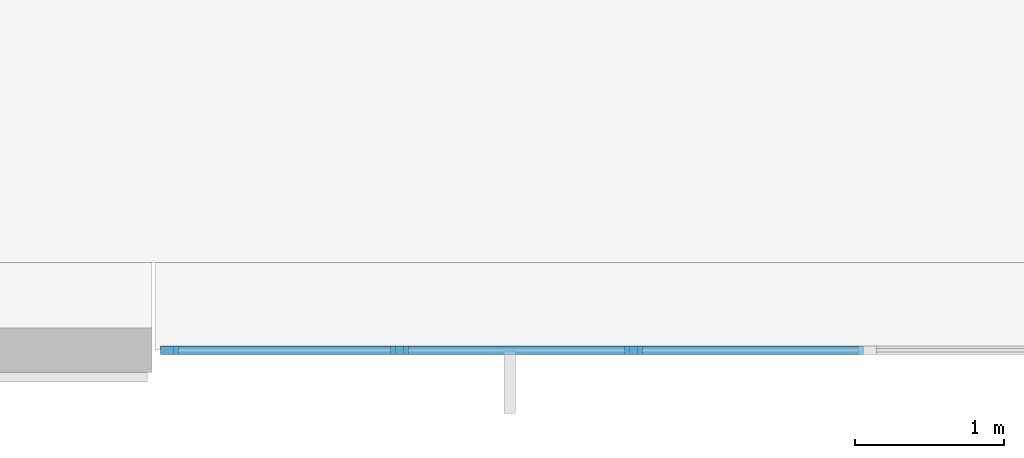
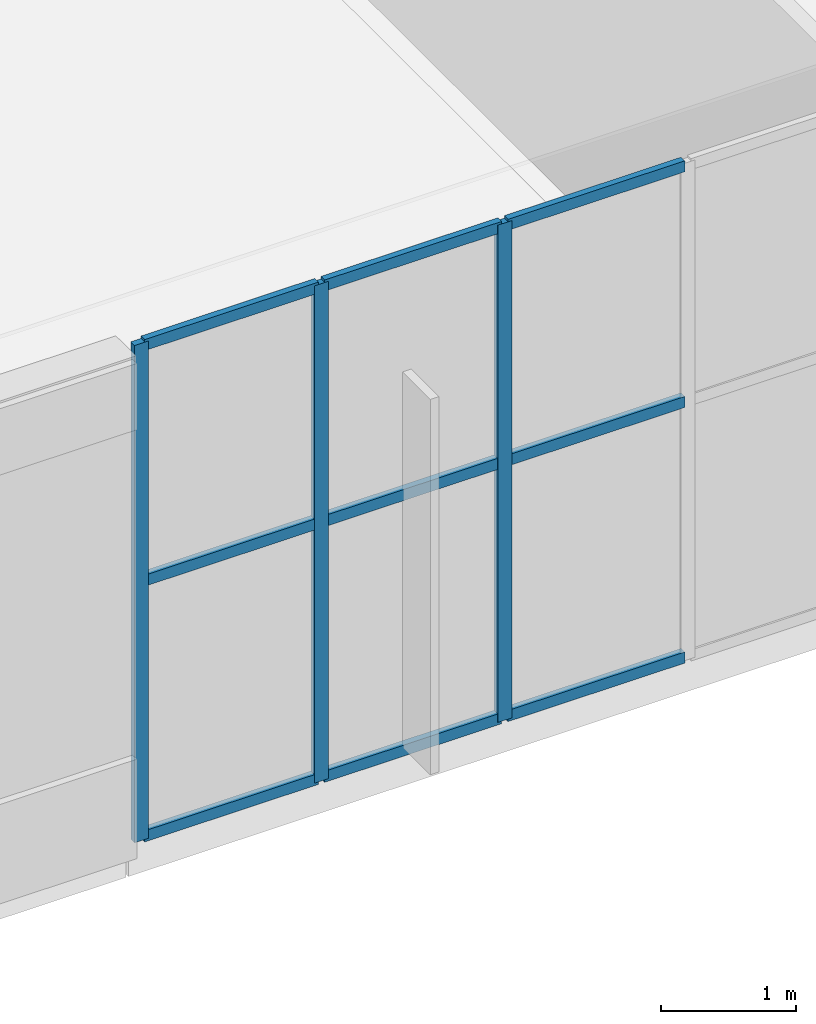
# One storey, part 6 of 86: 12 members, 1 element without a shape of its own.
"""IFC4 building model written with IfcOpenShell, lengths in metres."""

from ifc_helpers import new_model, si_unit, direction, frame, origin, origin_2d, place, context, subcontext, project, spatial, rectangle, extrude, material, layer, layer_set, material_profile, profile_set, type_object, element, aggregate, save


model = new_model("IFC4")

# Units and contexts
model_context = context("Model", 3, precision=1e-05, world=origin(), true_north=direction((0.0, 1.0)))
body_context = subcontext(model_context, "Body", "Model", "MODEL_VIEW")
ifc_project = project(units=[si_unit("LENGTHUNIT", "METRE"), si_unit("AREAUNIT", "SQUARE_METRE"), si_unit("VOLUMEUNIT", "CUBIC_METRE"), si_unit("PLANEANGLEUNIT", "RADIAN"), si_unit("MASSUNIT", "GRAM", prefix="KILO")], contexts=[model_context])

# Site, building, storey
site_placement = place(None, origin())
site = spatial("IfcSite", under=ifc_project, at=site_placement, CompositionType="ELEMENT")
building_placement = place(site_placement, origin())
building = spatial("IfcBuilding", under=site, at=building_placement, Name="Cendralis Terraced Arcade", CompositionType="ELEMENT")
storey_placement = place(building_placement, frame((0.0, 0.0, 5.39990234375)))
storey = spatial("IfcBuildingStorey", under=building, at=storey_placement, Name="L01", CompositionType="ELEMENT", Elevation=5.39990234375)

# Curtain wall, members
ifc_material = material(Name="Anodised aluminium EN AW-6063 T6", Category="aluminium")
ifc_layer = layer(ifc_material, 0.1201171875, Name="CW-STORE-B")
ifc_layer_set = layer_set([ifc_layer], Name="Anodised aluminium EN AW-6063 T6")
curtain_wall_type = type_object("IfcCurtainWallType", Name="CW-STORE-B", PredefinedType="USERDEFINED", material=ifc_layer_set)
curtain_wall_placement = place(storey_placement, origin())
curtain_wall = element("IfcCurtainWall", 1, at=curtain_wall_placement, inside=storey, type_object=curtain_wall_type, Name="Exterior Storefront Glazing CW-L01-0094", ObjectType="STOREFRONT GLAZING", PredefinedType="USERDEFINED")
ifc_material_profile_1 = material_profile(ifc_material, rectangle(XDim=0.054931640625, YDim=0.1201171875, at=origin_2d()), Name="ALU-MUL-55x120")
ifc_profile_set_1 = profile_set([ifc_material_profile_1], Name="Anodised aluminium EN AW-6063 T6")
member_type_1 = type_object("IfcMemberType", Name="CW-STORE-B-MUL", PredefinedType="MULLION", material=ifc_profile_set_1)
member_1_placement = place(storey_placement, frame((32.030029296875, 1.60009765625, 0.0), z_axis=(0.0, 0.0, 1.0), x_axis=(0.0, -1.0, 0.0)))
member_1 = element("IfcMember", 2, at=member_1_placement, type_object=member_type_1, Name="CW-S2 mullion 5", PredefinedType="MULLION", context=body_context, shape_type="SweptSolid", body=[
    extrude(rectangle(XDim=0.054931640625, YDim=0.1201171875, at=origin_2d()), origin(), (0.0, 0.0, 1.0), 4.505126953125),
])
member_2_placement = place(storey_placement, frame((30.4599609375, 1.60009765625, 0.0), z_axis=(0.0, 0.0, 1.0), x_axis=(0.0, -1.0, 0.0)))
member_2 = element("IfcMember", 3, at=member_2_placement, type_object=member_type_1, Name="CW-S2 mullion 6", PredefinedType="MULLION", context=body_context, shape_type="SweptSolid", body=[
    extrude(rectangle(XDim=0.054931640625, YDim=0.1201171875, at=origin_2d()), origin(), (0.0, 0.0, 1.0), 4.505126953125),
])
member_3_placement = place(storey_placement, frame((28.91748046875, 1.60009765625, 0.0), z_axis=(0.0, 0.0, 1.0), x_axis=(0.0, -1.0, 0.0)))
member_3 = element("IfcMember", 4, at=member_3_placement, type_object=member_type_1, Name="CW-S2 mullion 7", PredefinedType="MULLION", context=body_context, shape_type="SweptSolid", body=[
    extrude(rectangle(XDim=0.054931640625, YDim=0.1201171875, at=origin_2d()), origin(), (0.0, 0.0, 1.0), 4.505126953125),
])
ifc_material_profile_2 = material_profile(ifc_material, rectangle(XDim=0.054931640625, YDim=0.10009765625, at=origin_2d()), Name="ALU-TRN-55x100")
ifc_profile_set_2 = profile_set([ifc_material_profile_2], Name="Anodised aluminium EN AW-6063 T6")
member_type_2 = type_object("IfcMemberType", Name="CW-STORE-B-TRN", PredefinedType="USERDEFINED", material=ifc_profile_set_2)
member_4_placement = place(storey_placement, frame((33.572509765625, 1.60009765625, 0.027587890625), z_axis=(-1.0, 0.0, 0.0), x_axis=(0.0, -1.0, 0.0)))
member_4 = element("IfcMember", 5, at=member_4_placement, type_object=member_type_2, Name="CW-S2 transom 4.1", ObjectType="TRANSOM", PredefinedType="USERDEFINED", context=body_context, shape_type="SweptSolid", body=[
    extrude(rectangle(XDim=0.054931640625, YDim=0.10009765625, at=origin_2d()), origin(), (0.0, 0.0, 1.0), 1.514892578125),
])
member_5_placement = place(storey_placement, frame((33.572509765625, 1.60009765625, 2.3427734375), z_axis=(-1.0, 0.0, 0.0), x_axis=(0.0, -1.0, 0.0)))
member_5 = element("IfcMember", 6, at=member_5_placement, type_object=member_type_2, Name="CW-S2 transom 4.2", ObjectType="TRANSOM", PredefinedType="USERDEFINED", context=body_context, shape_type="SweptSolid", body=[
    extrude(rectangle(XDim=0.054931640625, YDim=0.10009765625, at=origin_2d()), origin(), (0.0, 0.0, 1.0), 1.514892578125),
])
member_6_placement = place(storey_placement, frame((33.572509765625, 1.60009765625, 4.4775390625), z_axis=(-1.0, 0.0, 0.0), x_axis=(0.0, -1.0, 0.0)))
member_6 = element("IfcMember", 7, at=member_6_placement, type_object=member_type_2, Name="CW-S2 transom 4.3", ObjectType="TRANSOM", PredefinedType="USERDEFINED", context=body_context, shape_type="SweptSolid", body=[
    extrude(rectangle(XDim=0.054931640625, YDim=0.10009765625, at=origin_2d()), origin(), (0.0, 0.0, 1.0), 1.514892578125),
])
member_7_placement = place(storey_placement, frame((32.00244140625, 1.60009765625, 0.027587890625), z_axis=(-1.0, 0.0, 0.0), x_axis=(0.0, -1.0, 0.0)))
member_7 = element("IfcMember", 8, at=member_7_placement, type_object=member_type_2, Name="CW-S2 transom 5.1", ObjectType="TRANSOM", PredefinedType="USERDEFINED", context=body_context, shape_type="SweptSolid", body=[
    extrude(rectangle(XDim=0.054931640625, YDim=0.10009765625, at=origin_2d()), origin(), (0.0, 0.0, 1.0), 1.514892578125),
])
member_8_placement = place(storey_placement, frame((32.00244140625, 1.60009765625, 2.3427734375), z_axis=(-1.0, 0.0, 0.0), x_axis=(0.0, -1.0, 0.0)))
member_8 = element("IfcMember", 9, at=member_8_placement, type_object=member_type_2, Name="CW-S2 transom 5.2", ObjectType="TRANSOM", PredefinedType="USERDEFINED", context=body_context, shape_type="SweptSolid", body=[
    extrude(rectangle(XDim=0.054931640625, YDim=0.10009765625, at=origin_2d()), origin(), (0.0, 0.0, 1.0), 1.514892578125),
])
member_9_placement = place(storey_placement, frame((32.00244140625, 1.60009765625, 4.4775390625), z_axis=(-1.0, 0.0, 0.0), x_axis=(0.0, -1.0, 0.0)))
member_9 = element("IfcMember", 10, at=member_9_placement, type_object=member_type_2, Name="CW-S2 transom 5.3", ObjectType="TRANSOM", PredefinedType="USERDEFINED", context=body_context, shape_type="SweptSolid", body=[
    extrude(rectangle(XDim=0.054931640625, YDim=0.10009765625, at=origin_2d()), origin(), (0.0, 0.0, 1.0), 1.514892578125),
])
member_10_placement = place(storey_placement, frame((30.4326171875, 1.60009765625, 0.027587890625), z_axis=(-1.0, 0.0, 0.0), x_axis=(0.0, -1.0, 0.0)))
member_10 = element("IfcMember", 11, at=member_10_placement, type_object=member_type_2, Name="CW-S2 transom 6.1", ObjectType="TRANSOM", PredefinedType="USERDEFINED", context=body_context, shape_type="SweptSolid", body=[
    extrude(rectangle(XDim=0.054931640625, YDim=0.10009765625, at=origin_2d()), origin(), (0.0, 0.0, 1.0), 1.487548828125),
])
member_11_placement = place(storey_placement, frame((30.4326171875, 1.60009765625, 2.3427734375), z_axis=(-1.0, 0.0, 0.0), x_axis=(0.0, -1.0, 0.0)))
member_11 = element("IfcMember", 12, at=member_11_placement, type_object=member_type_2, Name="CW-S2 transom 6.2", ObjectType="TRANSOM", PredefinedType="USERDEFINED", context=body_context, shape_type="SweptSolid", body=[
    extrude(rectangle(XDim=0.054931640625, YDim=0.10009765625, at=origin_2d()), origin(), (0.0, 0.0, 1.0), 1.487548828125),
])
member_12_placement = place(storey_placement, frame((30.4326171875, 1.60009765625, 4.4775390625), z_axis=(-1.0, 0.0, 0.0), x_axis=(0.0, -1.0, 0.0)))
member_12 = element("IfcMember", 13, at=member_12_placement, type_object=member_type_2, Name="CW-S2 transom 6.3", ObjectType="TRANSOM", PredefinedType="USERDEFINED", context=body_context, shape_type="SweptSolid", body=[
    extrude(rectangle(XDim=0.054931640625, YDim=0.10009765625, at=origin_2d()), origin(), (0.0, 0.0, 1.0), 1.487548828125),
])
aggregate(curtain_wall, [member_1, member_2, member_3, member_4, member_5, member_6, member_7, member_8, member_9, member_10, member_11, member_12])

save(model, "model.ifc")
